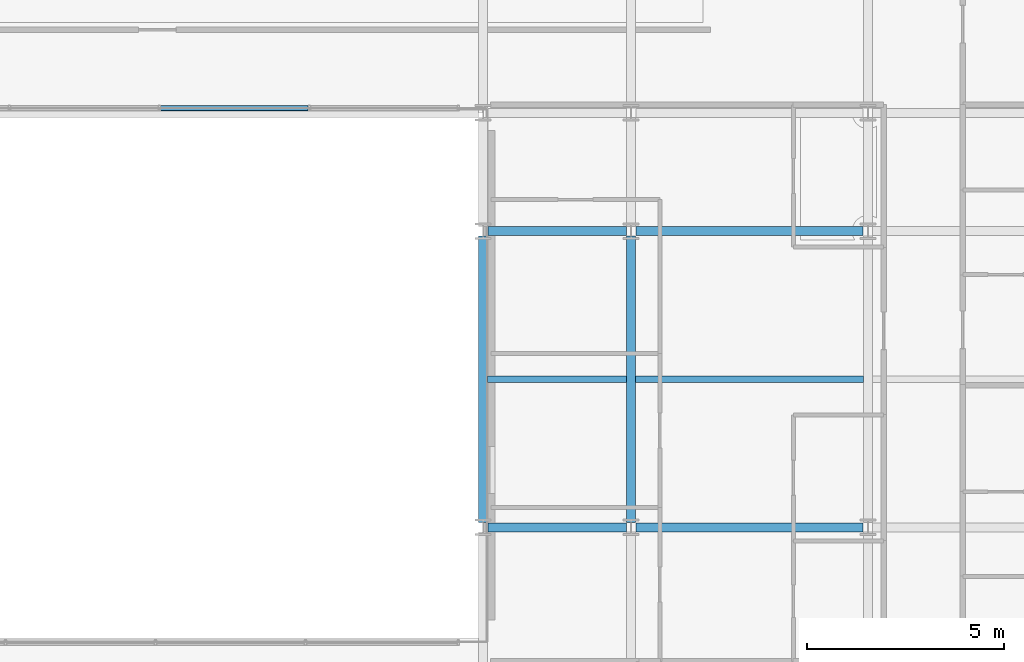
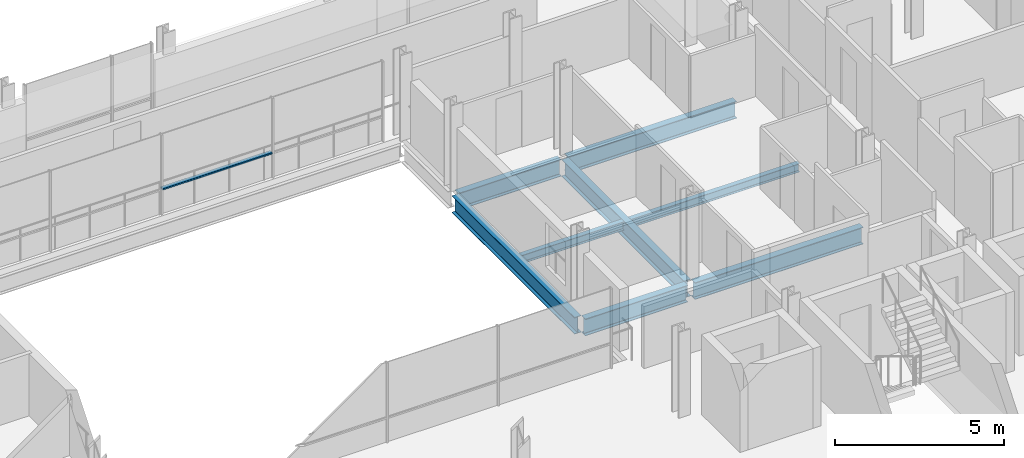
# One storey, part 16 of 39: 8 beams, 1 member, 1 element without a shape of its own.
"""IFC4 building model written with IfcOpenShell, lengths in metres."""

from ifc_helpers import new_model, si_unit, direction, frame, origin, origin_2d, place, context, subcontext, project, spatial, hollow_rectangle, i_section, extrude, material, layer, layer_set, material_profile, profile_set, type_object, element, aggregate, save


model = new_model("IFC4")

# Units and contexts
model_context = context("Model", 3, precision=1e-05, world=origin(), true_north=direction((0.0, 1.0)))
body_context = subcontext(model_context, "Body", "Model", "MODEL_VIEW")
ifc_project = project(units=[si_unit("LENGTHUNIT", "METRE"), si_unit("AREAUNIT", "SQUARE_METRE"), si_unit("VOLUMEUNIT", "CUBIC_METRE"), si_unit("PLANEANGLEUNIT", "RADIAN"), si_unit("MASSUNIT", "GRAM", prefix="KILO")], contexts=[model_context])

# Site, building, storey
site_placement = place(None, origin())
site = spatial("IfcSite", under=ifc_project, at=site_placement, CompositionType="ELEMENT")
building_placement = place(site_placement, origin())
building = spatial("IfcBuilding", under=site, at=building_placement, Name="Brevholm Reach", CompositionType="ELEMENT")
storey_placement = place(building_placement, frame((0.0, 0.0, 115.89990234375)))
storey = spatial("IfcBuildingStorey", under=building, at=storey_placement, Name="L34", CompositionType="ELEMENT", Elevation=115.89990234375)

# Beams
ifc_material_1 = material(Name="Structural Steel S355J2", Category="steel")
ifc_material_profile_1 = material_profile(ifc_material_1, i_section(OverallWidth=0.1650390625, OverallDepth=0.303466796875, WebThickness=0.006103515625, FlangeThickness=0.01025390625, FilletRadius=0.0087890625, at=origin_2d()), Name="UKB 305x165x40")
ifc_profile_set_1 = profile_set([ifc_material_profile_1], Name="Structural Steel S355J2")
beam_type_1 = type_object("IfcBeamType", Name="BM-B305", PredefinedType="BEAM", material=ifc_profile_set_1)
beam_1_placement = place(storey_placement, frame((38.364501953125, 19.75, -0.37158203125), z_axis=(1.0, 0.0, 0.0), x_axis=(0.0, 1.0, 0.0)))
element("IfcBeam", 1, at=beam_1_placement, inside=storey, type_object=beam_type_1, Name="L34 Composite Secondary Floor Beam", PredefinedType="BEAM", context=body_context, shape_type="SweptSolid", body=[
    extrude(i_section(OverallWidth=0.1650390625, OverallDepth=0.303466796875, WebThickness=0.006103515625, FlangeThickness=0.01025390625, FilletRadius=0.0087890625, at=origin_2d()), origin(), (0.0, 0.0, 1.0), 3.52099609375),
])
beam_2_placement = place(storey_placement, frame((42.114501953125, 19.75, -0.37158203125), z_axis=(1.0, 0.0, 0.0), x_axis=(0.0, 1.0, 0.0)))
element("IfcBeam", 2, at=beam_2_placement, inside=storey, type_object=beam_type_1, Name="L34 Composite Secondary Floor Beam", PredefinedType="BEAM", context=body_context, shape_type="SweptSolid", body=[
    extrude(i_section(OverallWidth=0.1650390625, OverallDepth=0.303466796875, WebThickness=0.006103515625, FlangeThickness=0.01025390625, FilletRadius=0.0087890625, at=origin_2d()), origin(), (0.0, 0.0, 1.0), 5.77099609375),
])
ifc_material_2 = material(Name="Structural Steel S355J2", Category="steel")
ifc_material_profile_2 = material_profile(ifc_material_2, i_section(OverallWidth=0.22900390625, OverallDepth=0.6123046875, WebThickness=0.011962890625, FlangeThickness=0.01953125, FilletRadius=0.0126953125, at=origin_2d()), Name="UKB 610x229x125")
ifc_profile_set_2 = profile_set([ifc_material_profile_2], Name="Structural Steel S355J2")
beam_type_2 = type_object("IfcBeamType", Name="BM-SP610", PredefinedType="SPANDREL", material=ifc_profile_set_2)
beam_3_placement = place(storey_placement, frame((38.3701171875, 16.0, -0.526123046875), z_axis=(1.0, 0.0, 0.0), x_axis=(0.0, 1.0, 0.0)))
element("IfcBeam", 3, at=beam_3_placement, inside=storey, type_object=beam_type_2, Name="L34 SP-01 Framing Beam", PredefinedType="SPANDREL", context=body_context, shape_type="SweptSolid", body=[
    extrude(i_section(OverallWidth=0.22900390625, OverallDepth=0.6123046875, WebThickness=0.011962890625, FlangeThickness=0.01953125, FilletRadius=0.0126953125, at=origin_2d()), origin(), (0.0, 0.0, 1.0), 3.509765625),
])
beam_4_placement = place(storey_placement, frame((42.1201171875, 16.0, -0.526123046875), z_axis=(1.0, 0.0, 0.0), x_axis=(0.0, 1.0, 0.0)))
element("IfcBeam", 4, at=beam_4_placement, inside=storey, type_object=beam_type_2, Name="L34 SP-01 Framing Beam", PredefinedType="SPANDREL", context=body_context, shape_type="SweptSolid", body=[
    extrude(i_section(OverallWidth=0.22900390625, OverallDepth=0.6123046875, WebThickness=0.011962890625, FlangeThickness=0.01953125, FilletRadius=0.0126953125, at=origin_2d()), origin(), (0.0, 0.0, 1.0), 5.759765625),
])
beam_5_placement = place(storey_placement, frame((38.3701171875, 23.5, -0.526123046875), z_axis=(1.0, 0.0, 0.0), x_axis=(0.0, 1.0, 0.0)))
element("IfcBeam", 5, at=beam_5_placement, inside=storey, type_object=beam_type_2, Name="L34 SP-01 Framing Beam", PredefinedType="SPANDREL", context=body_context, shape_type="SweptSolid", body=[
    extrude(i_section(OverallWidth=0.22900390625, OverallDepth=0.6123046875, WebThickness=0.011962890625, FlangeThickness=0.01953125, FilletRadius=0.0126953125, at=origin_2d()), origin(), (0.0, 0.0, 1.0), 3.509765625),
])
beam_6_placement = place(storey_placement, frame((42.1201171875, 23.5, -0.526123046875), z_axis=(1.0, 0.0, 0.0), x_axis=(0.0, 1.0, 0.0)))
element("IfcBeam", 6, at=beam_6_placement, inside=storey, type_object=beam_type_2, Name="L34 SP-01 Framing Beam", PredefinedType="SPANDREL", context=body_context, shape_type="SweptSolid", body=[
    extrude(i_section(OverallWidth=0.22900390625, OverallDepth=0.6123046875, WebThickness=0.011962890625, FlangeThickness=0.01953125, FilletRadius=0.0126953125, at=origin_2d()), origin(), (0.0, 0.0, 1.0), 5.759765625),
])
for number, where, z_axis, x_axis, name in (
    (7, (38.25, 16.1201171875, -0.526123046875), (0.0, 1.0, 0.0), (-1.0, 0.0, 0.0), "L34 SP-01 Framing Beam"),
    (8, (42.0, 16.1201171875, -0.526123046875), (0.0, 1.0, 0.0), (-1.0, 0.0, 0.0), "L34 SP-01 Framing Beam"),
):
    element("IfcBeam", number, at=place(storey_placement, frame(where, z_axis=z_axis, x_axis=x_axis)), inside=storey, type_object=beam_type_2, Name=name, PredefinedType="SPANDREL", context=body_context, shape_type="SweptSolid", body=[
        extrude(i_section(OverallWidth=0.22900390625, OverallDepth=0.6123046875, WebThickness=0.011962890625, FlangeThickness=0.01953125, FilletRadius=0.0126953125, at=origin_2d()), origin(), (0.0, 0.0, 1.0), 7.259765625),
    ])

# Curtain wall, member
ifc_material_3 = material(Name="Dark Anodised Aluminium 6063-T6 and Solar-Control Glass", Category="aluminium")
ifc_layer = layer(ifc_material_3, 0.139892578125)
ifc_layer_set = layer_set([ifc_layer], Name="Dark Anodised Aluminium 6063-T6 and Solar-Control Glass")
curtain_wall_type = type_object("IfcCurtainWallType", Name="CW-02", PredefinedType="NOTDEFINED", material=ifc_layer_set)
curtain_wall_placement = place(storey_placement, origin())
curtain_wall = element("IfcCurtainWall", 9, at=curtain_wall_placement, inside=storey, type_object=curtain_wall_type, Name="L34 Curtain Wall CW-02", PredefinedType="NOTDEFINED")
ifc_material_4 = material(Name="Dark Anodised Aluminium 6063-T6", Category="aluminium")
ifc_material_profile_3 = material_profile(ifc_material_4, hollow_rectangle(XDim=0.06005859375, YDim=0.139892578125, WallThickness=0.0048828125, InnerFilletRadius=0.0048828125, OuterFilletRadius=0.010009765625, at=origin_2d()), Name="RHS 140x60x5")
ifc_profile_set_3 = profile_set([ifc_material_profile_3], Name="Dark Anodised Aluminium 6063-T6")
member_type = type_object("IfcMemberType", Name="CWT-140", PredefinedType="NOTDEFINED", material=ifc_profile_set_3)
member_placement = place(storey_placement, frame((33.820068359375, 26.6201171875, 0.900146484375), z_axis=(-1.0, 0.0, 0.0), x_axis=(0.0, 0.0, 1.0)))
member = element("IfcMember", 10, at=member_placement, type_object=member_type, Name="CT-140 Transom 2.1", ObjectType="TRANSOM", PredefinedType="USERDEFINED", context=body_context, shape_type="SweptSolid", body=[
    extrude(hollow_rectangle(XDim=0.06005859375, YDim=0.139892578125, WallThickness=0.0048828125, InnerFilletRadius=0.0048828125, OuterFilletRadius=0.010009765625, at=origin_2d()), origin(), (0.0, 0.0, 1.0), 3.739990234375),
])
aggregate(curtain_wall, [member])

save(model, "model.ifc")
